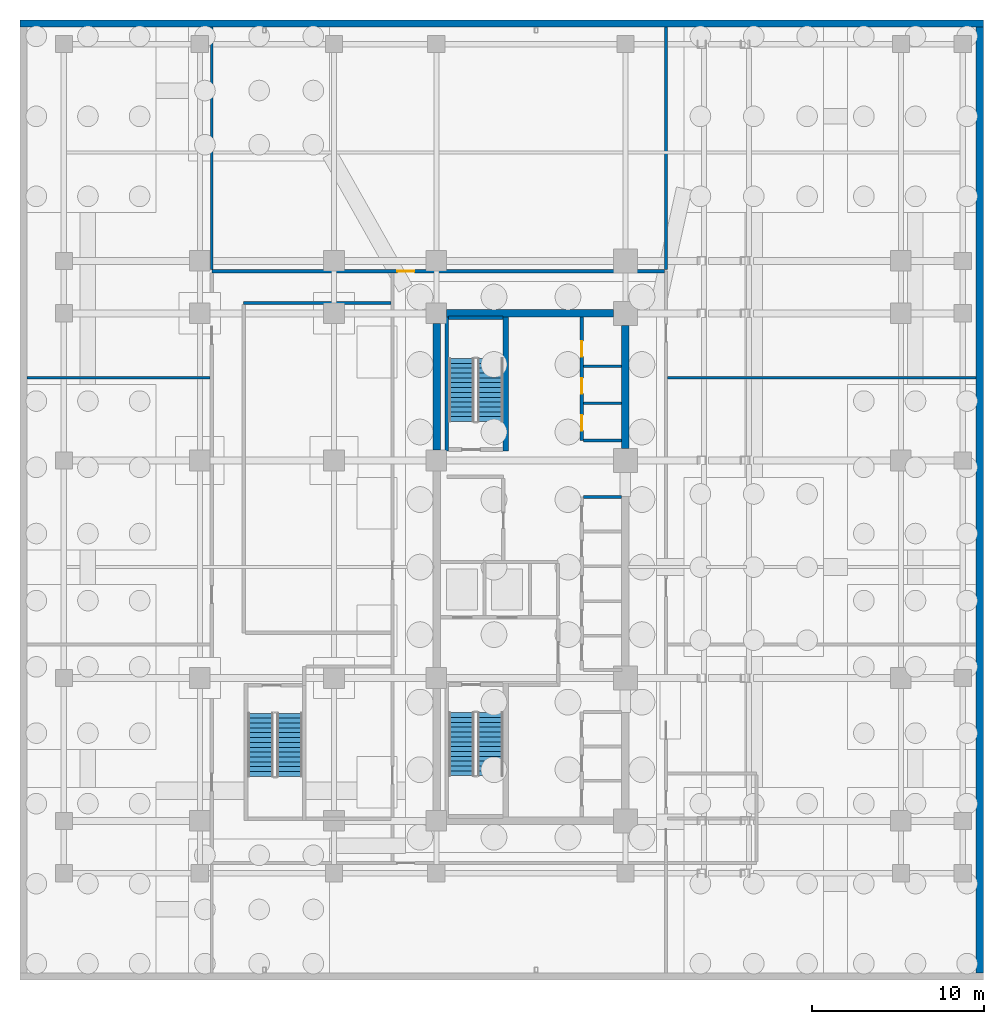
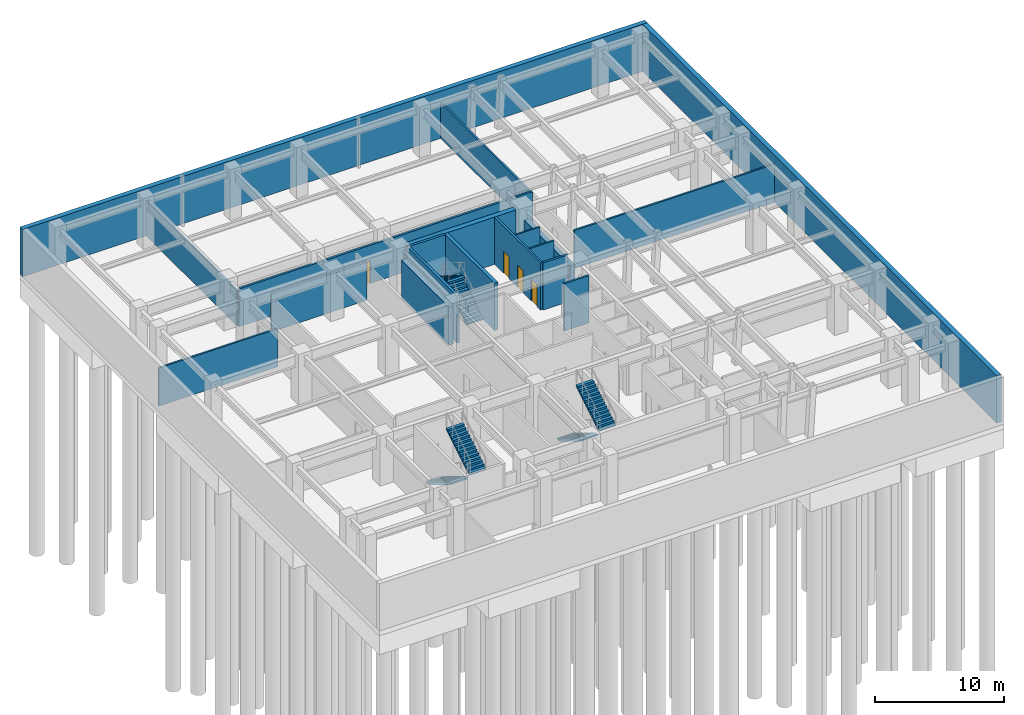
# One storey, part 11 of 13: 19 walls, 6 stair flights, 4 doors, 4 openings, 3 elements without a shape of their own.
"""IFC4 building model written with IfcOpenShell, lengths in metres."""

from ifc_helpers import new_model, si_unit, direction, frame, frame_2d, origin, place, context, subcontext, project, spatial, polyline, rectangle, outline, extrude, material, layer, layer_set, type_object, element, fill, aggregate, save


model = new_model("IFC4")

# Units and contexts
model_context = context("Model", 3, precision=1e-05, world=origin(), true_north=direction((0.0, 1.0)))
body_context = subcontext(model_context, "Body", "Model", "MODEL_VIEW")
ifc_project = project(units=[si_unit("LENGTHUNIT", "METRE"), si_unit("AREAUNIT", "SQUARE_METRE"), si_unit("VOLUMEUNIT", "CUBIC_METRE"), si_unit("PLANEANGLEUNIT", "RADIAN"), si_unit("MASSUNIT", "GRAM", prefix="KILO")], contexts=[model_context])

# Site, building, storey
site_placement = place(None, origin())
site = spatial("IfcSite", under=ifc_project, at=site_placement, CompositionType="ELEMENT")
building_placement = place(site_placement, origin())
building = spatial("IfcBuilding", under=site, at=building_placement, Name="Ochreholt Gables", CompositionType="ELEMENT")
storey_placement = place(building_placement, frame((0.0, 0.0, -9.60009765625)))
storey = spatial("IfcBuildingStorey", under=building, at=storey_placement, Name="B2", CompositionType="ELEMENT", Elevation=-9.60009765625)

# Walls
ifc_material_1 = material(Name="Concrete 50 MPa", Category="concrete")
ifc_layer_1 = layer(ifc_material_1, 0.419921875, Name="Concrete 50 MPa")
ifc_layer_set_1 = layer_set([ifc_layer_1], Name="Concrete 50 MPa")
wall_type_1 = type_object("IfcWallType", Name="WALL-BSM-420", PredefinedType="SHEAR", material=ifc_layer_set_1)
wall_1_placement = place(storey_placement, frame((0.0, 55.590087890625, 0.0), z_axis=(0.0, 0.0, 1.0), x_axis=(1.0, 0.0, 0.0)))
element("IfcWall", 1, at=wall_1_placement, inside=storey, type_object=wall_type_1, Name="B2 North Retaining Shear Wall", PredefinedType="SHEAR", context=body_context, shape_type="SweptSolid", body=[
    extrude(rectangle(XDim=56.0, YDim=0.419921875, at=frame_2d((28.0, 0.0))), origin(), (0.0, 0.0, 1.0), 4.47998046875),
])
wall_2_placement = place(storey_placement, frame((55.7900390625, 0.419921875, 0.0), z_axis=(0.0, 0.0, 1.0), x_axis=(0.0, 1.0, 0.0)))
element("IfcWall", 2, at=wall_2_placement, inside=storey, type_object=wall_type_1, Name="B2 East Retaining Shear Wall", PredefinedType="SHEAR", context=body_context, shape_type="SweptSolid", body=[
    extrude(rectangle(XDim=54.9599609375, YDim=0.419921875, at=frame_2d((27.47998046875, 0.0))), origin(), (0.0, 0.0, 1.0), 4.47998046875),
])
ifc_material_2 = material(Name="Concrete 60 MPa", Category="concrete")
ifc_layer_2 = layer(ifc_material_2, 0.449951171875, Name="Concrete 60 MPa")
ifc_layer_set_2 = layer_set([ifc_layer_2], Name="Concrete 60 MPa")
wall_type_2 = type_object("IfcWallType", Name="WALL-CSW-450", PredefinedType="SHEAR", material=ifc_layer_set_2)
wall_3_placement = place(storey_placement, frame((24.22509765625, 30.800048828125, 0.0), z_axis=(0.0, 0.0, 1.0), x_axis=(0.0, 1.0, 0.0)))
element("IfcWall", 3, at=wall_3_placement, inside=storey, type_object=wall_type_2, Name="B2 Core West Shear Wall WN", PredefinedType="SHEAR", context=body_context, shape_type="SweptSolid", body=[
    extrude(rectangle(XDim=7.349853515625, YDim=0.449951171875, at=frame_2d((3.6748046875, 0.0))), origin(), (0.0, 0.0, 1.0), 3.629150390625),
])
wall_4_placement = place(storey_placement, frame((35.175048828125, 30.89990234375, 0.0), z_axis=(0.0, 0.0, 1.0), x_axis=(0.0, 1.0, 0.0)))
element("IfcWall", 4, at=wall_4_placement, inside=storey, type_object=wall_type_2, Name="B2 Core North-East Shear Wall", PredefinedType="SHEAR", context=body_context, shape_type="SweptSolid", body=[
    extrude(rectangle(XDim=7.150146484375, YDim=0.449951171875, at=frame_2d((3.5751953125, 0.0))), origin(), (0.0, 0.0, 1.0), 3.629150390625),
])
wall_5_placement = place(storey_placement, frame((24.800048828125, 38.75, 0.0), z_axis=(0.0, 0.0, 1.0), x_axis=(1.0, 0.0, 0.0)))
element("IfcWall", 5, at=wall_5_placement, inside=storey, type_object=wall_type_2, Name="B2 Core North Shear Wall", PredefinedType="SHEAR", context=body_context, shape_type="SweptSolid", body=[
    extrude(rectangle(XDim=9.699951171875, YDim=0.449951171875, at=frame_2d((4.85009765625, 0.0))), origin(), (0.0, 0.0, 1.0), 4.47998046875),
])

# Wall, opening, door
ifc_material_3 = material(Name="Fire-Rated Gypsum Acoustic Partition", Category="gypsum")
ifc_layer_3 = layer(ifc_material_3, 0.18994140625, Name="Fire-Rated Gypsum Acoustic Partition")
ifc_layer_set_3 = layer_set([ifc_layer_3], Name="Fire-Rated Gypsum Acoustic Partition")
wall_type_3 = type_object("IfcWallType", Name="WALL-INT-CR190", PredefinedType="STANDARD", material=ifc_layer_set_3)
wall_6_placement = place(storey_placement, frame((11.14990234375, 41.199951171875, 0.0), z_axis=(0.0, 0.0, 1.0), x_axis=(1.0, 0.0, 0.0)))
wall_6 = element("IfcWall", 6, at=wall_6_placement, inside=storey, type_object=wall_type_3, Name="B2 Interior Wall WI-BCN-B2", PredefinedType="STANDARD", context=body_context, shape_type="SweptSolid", body=[
    extrude(rectangle(XDim=26.30517578125, YDim=0.18994140625, at=frame_2d((13.152587890625, 0.0))), origin(), (0.0, 0.0, 1.0), 3.611083984375),
])
opening_1_placement = place(wall_6_placement, frame((10.780029296875, 0.0, 0.0)))
opening_1 = element("IfcOpeningElement", 7, at=opening_1_placement, cuts=wall_6, Name="Opening D-SV3", PredefinedType="OPENING", context=body_context, shape_type="SweptSolid", body=[
    extrude(rectangle(XDim=1.0, YDim=2.14990234375, at=frame_2d((0.5, 1.074951171875))), frame((0.0, 0.10498046875, 0.0), z_axis=(0.0, -1.0, 0.0), x_axis=(1.0, 0.0, 0.0)), (0.0, 0.0, 1.0), 0.2099609375),
])
ifc_material_4 = material(Name="Hollow Metal Steel", Category="steel")
door_type_1 = type_object("IfcDoorType", Name="DR-INT-SRV1000", OperationType="NOTDEFINED", PredefinedType="DOOR", material=ifc_material_4)
door_1_placement = place(opening_1_placement, origin())
door_1 = element("IfcDoor", 8, at=door_1_placement, inside=storey, type_object=door_type_1, Name="B2 Door D-BM10-B2", OperationType="SINGLE_SWING_LEFT", OverallHeight=2.14990234375, OverallWidth=1.0, PredefinedType="DOOR", context=body_context, shape_type="SweptSolid", body=[
    extrude(rectangle(XDim=1.0, YDim=2.14990234375, at=frame_2d((0.5, 1.074951171875))), frame((0.0, 0.02490234375, 0.0), z_axis=(0.0, -1.0, 0.0), x_axis=(1.0, 0.0, 0.0)), (0.0, 0.0, 1.0), 0.050048828125),
])
fill(opening_1, door_1)

# Walls
wall_7_placement = place(storey_placement, frame((13.0, 39.35009765625, 0.0), z_axis=(0.0, 0.0, 1.0), x_axis=(1.0, 0.0, 0.0)))
element("IfcWall", 9, at=wall_7_placement, inside=storey, type_object=wall_type_3, Name="B2 Interior Wall WI-BCN2-B2", PredefinedType="STANDARD", context=body_context, shape_type="SweptSolid", body=[
    extrude(rectangle(XDim=8.554931640625, YDim=0.18994140625, at=frame_2d((4.27734375, 0.0))), origin(), (0.0, 0.0, 1.0), 3.611083984375),
])
ifc_material_5 = material(Name="Gypsum Acoustic Stud Partition", Category="gypsum")
ifc_layer_4 = layer(ifc_material_5, 0.159912109375, Name="Gypsum Acoustic Stud Partition")
ifc_layer_set_4 = layer_set([ifc_layer_4], Name="Gypsum Acoustic Stud Partition")
wall_type_4 = type_object("IfcWallType", Name="WALL-INT-PT160", PredefinedType="PARTITIONING", material=ifc_layer_set_4)
for number, where, z_axis, x_axis, name in (
    (10, (11.14990234375, 41.294921875, 0.0), (0.0, 0.0, 1.0), (0.0, 1.0, 0.0), "B2 Interior Wall WI-BCWWN-B2"),
    (11, (37.550048828125, 41.294921875, 0.0), (0.0, 0.0, 1.0), (0.0, 1.0, 0.0), "B2 Interior Wall WI-BCEN-B2"),
):
    element("IfcWall", number, at=place(storey_placement, frame(where, z_axis=z_axis, x_axis=x_axis)), inside=storey, type_object=wall_type_4, Name=name, PredefinedType="PARTITIONING", context=body_context, shape_type="SweptSolid", body=[
        extrude(rectangle(XDim=14.0849609375, YDim=0.159912109375, at=frame_2d((7.04248046875, 0.0))), origin(), (0.0, 0.0, 1.0), 3.362060546875),
    ])
wall_8_placement = place(storey_placement, frame((0.419921875, 35.0, 0.0), z_axis=(0.0, 0.0, 1.0), x_axis=(1.0, 0.0, 0.0)))
element("IfcWall", 12, at=wall_8_placement, inside=storey, type_object=wall_type_4, Name="B2 Interior Wall WI-BW2-B2", PredefinedType="PARTITIONING", context=body_context, shape_type="SweptSolid", body=[
    extrude(rectangle(XDim=10.635009765625, YDim=0.159912109375, at=frame_2d((5.3173828125, 0.0))), origin(), (0.0, 0.0, 1.0), 3.611083984375),
])
wall_9_placement = place(storey_placement, frame((37.64501953125, 35.0, 0.0), z_axis=(0.0, 0.0, 1.0), x_axis=(1.0, 0.0, 0.0)))
element("IfcWall", 13, at=wall_9_placement, inside=storey, type_object=wall_type_4, Name="B2 Interior Wall WI-BE2-B2", PredefinedType="PARTITIONING", context=body_context, shape_type="SweptSolid", body=[
    extrude(rectangle(XDim=17.93505859375, YDim=0.159912109375, at=frame_2d((8.967529296875, 0.0))), origin(), (0.0, 0.0, 1.0), 3.611083984375),
])
ifc_material_6 = material(Name="Gypsum Shaftliner and Steel Stud", Category="steel")
ifc_layer_5 = layer(ifc_material_6, 0.14990234375, Name="Gypsum Shaftliner and Steel Stud")
ifc_layer_set_5 = layer_set([ifc_layer_5], Name="Gypsum Shaftliner and Steel Stud")
wall_type_5 = type_object("IfcWallType", Name="WALL-INT-SH150", PredefinedType="STANDARD", material=ifc_layer_set_5)
for number, where, z_axis, x_axis, name in (
    (14, (32.739990234375, 33.52001953125, 0.0), (0.0, 0.0, 1.0), (1.0, 0.0, 0.0), "B2 Interior Wall WI-LFM-D1-B2"),
    (15, (32.739990234375, 35.669921875, 0.0), (0.0, 0.0, 1.0), (1.0, 0.0, 0.0), "B2 Interior Wall WI-LFM-D2-B2"),
):
    element("IfcWall", number, at=place(storey_placement, frame(where, z_axis=z_axis, x_axis=x_axis)), inside=storey, type_object=wall_type_5, Name=name, PredefinedType="STANDARD", context=body_context, shape_type="SweptSolid", body=[
        extrude(rectangle(XDim=2.2099609375, YDim=0.14990234375, at=frame_2d((1.10498046875, 0.0))), origin(), (0.0, 0.0, 1.0), 4.47998046875),
    ])
ifc_layer_6 = layer(ifc_material_6, 0.179931640625, Name="Gypsum Shaftliner and Steel Stud")
ifc_layer_set_6 = layer_set([ifc_layer_6], Name="Gypsum Shaftliner and Steel Stud")
wall_type_6 = type_object("IfcWallType", Name="WALL-INT-SH180", PredefinedType="STANDARD", material=ifc_layer_set_6)
wall_10_placement = place(storey_placement, frame((32.739990234375, 28.080078125, 0.0), z_axis=(0.0, 0.0, 1.0), x_axis=(1.0, 0.0, 0.0)))
element("IfcWall", 16, at=wall_10_placement, inside=storey, type_object=wall_type_6, Name="B2 Interior Wall WI-LFHE-N-B2", PredefinedType="STANDARD", context=body_context, shape_type="SweptSolid", body=[
    extrude(rectangle(XDim=2.2099609375, YDim=0.179931640625, at=frame_2d((1.10498046875, 0.0))), origin(), (0.0, 0.0, 1.0), 4.47998046875),
])

# Wall, openings, doors
wall_11_placement = place(storey_placement, frame((32.64990234375, 31.35009765625, 0.0), z_axis=(0.0, 0.0, 1.0), x_axis=(0.0, 1.0, 0.0)))
wall_11 = element("IfcWall", 17, at=wall_11_placement, inside=storey, type_object=wall_type_6, Name="B2 Interior Wall WI-LFM-FR-B2", PredefinedType="STANDARD", context=body_context, shape_type="SweptSolid", body=[
    extrude(rectangle(XDim=7.1748046875, YDim=0.179931640625, at=frame_2d((3.58740234375, 0.0))), origin(), (0.0, 0.0, 1.0), 4.47998046875),
])
opening_2_placement = place(wall_11_placement, frame((0.580078125, 0.0, 0.0)))
opening_2 = element("IfcOpeningElement", 18, at=opening_2_placement, cuts=wall_11, Name="Opening D-SV1", PredefinedType="OPENING", context=body_context, shape_type="SweptSolid", body=[
    extrude(rectangle(XDim=0.89990234375, YDim=2.10009765625, at=frame_2d((0.449951171875, 1.050048828125))), frame((0.0, 0.099853515625, 0.0), z_axis=(0.0, -1.0, 0.0), x_axis=(1.0, 0.0, 0.0)), (0.0, 0.0, 1.0), 0.199951171875),
])
opening_3_placement = place(wall_11_placement, frame((2.72998046875, 0.0, 0.0)))
opening_3 = element("IfcOpeningElement", 19, at=opening_3_placement, cuts=wall_11, Name="Opening D-SV1", PredefinedType="OPENING", context=body_context, shape_type="SweptSolid", body=[
    extrude(rectangle(XDim=0.89990234375, YDim=2.10009765625, at=frame_2d((0.449951171875, 1.050048828125))), frame((0.0, 0.099853515625, 0.0), z_axis=(0.0, -1.0, 0.0), x_axis=(1.0, 0.0, 0.0)), (0.0, 0.0, 1.0), 0.199951171875),
])
opening_4_placement = place(wall_11_placement, frame((4.8798828125, 0.0, 0.0)))
opening_4 = element("IfcOpeningElement", 20, at=opening_4_placement, cuts=wall_11, Name="Opening D-SV1", PredefinedType="OPENING", context=body_context, shape_type="SweptSolid", body=[
    extrude(rectangle(XDim=0.89990234375, YDim=2.10009765625, at=frame_2d((0.449951171875, 1.050048828125))), frame((0.0, 0.099853515625, 0.0), z_axis=(0.0, -1.0, 0.0), x_axis=(1.0, 0.0, 0.0)), (0.0, 0.0, 1.0), 0.199951171875),
])
door_type_2 = type_object("IfcDoorType", Name="DR-INT-SRV900", OperationType="NOTDEFINED", PredefinedType="DOOR", material=ifc_material_4)
door_2_placement = place(opening_2_placement, origin())
door_2 = element("IfcDoor", 21, at=door_2_placement, inside=storey, type_object=door_type_2, Name="B2 Door D-MCST1-B2", OperationType="SINGLE_SWING_LEFT", OverallHeight=2.10009765625, OverallWidth=0.89990234375, PredefinedType="DOOR", context=body_context, shape_type="SweptSolid", body=[
    extrude(rectangle(XDim=0.89990234375, YDim=2.10009765625, at=frame_2d((0.449951171875, 1.050048828125))), frame((0.0, 0.02490234375, 0.0), z_axis=(0.0, -1.0, 0.0), x_axis=(1.0, 0.0, 0.0)), (0.0, 0.0, 1.0), 0.050048828125),
])
fill(opening_2, door_2)
door_3_placement = place(opening_3_placement, origin())
door_3 = element("IfcDoor", 22, at=door_3_placement, inside=storey, type_object=door_type_2, Name="B2 Door D-MCST2-B2", OperationType="SINGLE_SWING_LEFT", OverallHeight=2.10009765625, OverallWidth=0.89990234375, PredefinedType="DOOR", context=body_context, shape_type="SweptSolid", body=[
    extrude(rectangle(XDim=0.89990234375, YDim=2.10009765625, at=frame_2d((0.449951171875, 1.050048828125))), frame((0.0, 0.02490234375, 0.0), z_axis=(0.0, -1.0, 0.0), x_axis=(1.0, 0.0, 0.0)), (0.0, 0.0, 1.0), 0.050048828125),
])
fill(opening_3, door_3)
door_4_placement = place(opening_4_placement, origin())
door_4 = element("IfcDoor", 23, at=door_4_placement, inside=storey, type_object=door_type_2, Name="B2 Door D-MCST3-B2", OperationType="SINGLE_SWING_LEFT", OverallHeight=2.10009765625, OverallWidth=0.89990234375, PredefinedType="DOOR", context=body_context, shape_type="SweptSolid", body=[
    extrude(rectangle(XDim=0.89990234375, YDim=2.10009765625, at=frame_2d((0.449951171875, 1.050048828125))), frame((0.0, 0.02490234375, 0.0), z_axis=(0.0, -1.0, 0.0), x_axis=(1.0, 0.0, 0.0)), (0.0, 0.0, 1.0), 0.050048828125),
])
fill(opening_4, door_4)

# Walls
wall_12_placement = place(storey_placement, frame((32.739990234375, 31.35009765625, 0.0), z_axis=(0.0, 0.0, 1.0), x_axis=(1.0, 0.0, 0.0)))
element("IfcWall", 24, at=wall_12_placement, inside=storey, type_object=wall_type_6, Name="B2 Interior Wall WI-LFM-S-B2", PredefinedType="STANDARD", context=body_context, shape_type="SweptSolid", body=[
    extrude(rectangle(XDim=2.2099609375, YDim=0.179931640625, at=frame_2d((1.10498046875, 0.0))), origin(), (0.0, 0.0, 1.0), 4.47998046875),
])
ifc_layer_7 = layer(ifc_material_2, 0.300048828125, Name="Concrete 60 MPa")
ifc_layer_set_7 = layer_set([ifc_layer_7], Name="Concrete 60 MPa")
wall_type_7 = type_object("IfcWallType", Name="WALL-SPN-300", PredefinedType="SHEAR", material=ifc_layer_set_7)
wall_13_placement = place(storey_placement, frame((28.22998046875, 30.739990234375, 0.0), z_axis=(0.0, 0.0, 1.0), x_axis=(0.0, 1.0, 0.0)))
element("IfcWall", 25, at=wall_13_placement, inside=storey, type_object=wall_type_7, Name="B2 Core North Spine Shear Wall", PredefinedType="SHEAR", context=body_context, shape_type="SweptSolid", body=[
    extrude(rectangle(XDim=7.784912109375, YDim=0.300048828125, at=frame_2d((3.892578125, 0.0))), origin(), (0.0, 0.0, 1.0), 4.47998046875),
])
ifc_layer_8 = layer(ifc_material_1, 0.219970703125, Name="Concrete 50 MPa")
ifc_layer_set_8 = layer_set([ifc_layer_8], Name="Concrete 50 MPa")
wall_type_8 = type_object("IfcWallType", Name="WALL-STW-220", PredefinedType="SHEAR", material=ifc_layer_set_8)
wall_14_placement = place(storey_placement, frame((24.81005859375, 30.739990234375, 0.0), z_axis=(0.0, 0.0, 1.0), x_axis=(0.0, 1.0, 0.0)))
element("IfcWall", 26, at=wall_14_placement, inside=storey, type_object=wall_type_8, Name="B2 Exit Stair 2 West Wall", PredefinedType="SHEAR", context=body_context, shape_type="SweptSolid", body=[
    extrude(rectangle(XDim=7.784912109375, YDim=0.219970703125, at=frame_2d((3.892578125, 0.0))), origin(), (0.0, 0.0, 1.0), 4.47998046875),
])
wall_15_placement = place(storey_placement, frame((24.919921875, 38.489990234375, 0.0), z_axis=(0.0, 0.0, 1.0), x_axis=(1.0, 0.0, 0.0)))
element("IfcWall", 27, at=wall_15_placement, inside=storey, type_object=wall_type_8, Name="B2 Exit Stair 2 North Wall", PredefinedType="SHEAR", context=body_context, shape_type="SweptSolid", body=[
    extrude(rectangle(XDim=3.16015625, YDim=0.219970703125, at=frame_2d((1.580078125, 0.0))), origin(), (0.0, 0.0, 1.0), 4.47998046875),
])

# Stair, stair flights
ifc_material_7 = material(Name="Concrete 40 MPa", Category="concrete")
stair_type_1 = type_object("IfcStairType", Name="STAIR-CORE-ST-1", PredefinedType="HALF_TURN_STAIR", material=ifc_material_7)
stair_1_placement = place(storey_placement, origin())
stair_1 = element("IfcStair", 28, at=stair_1_placement, inside=storey, type_object=stair_type_1, Name="B2 Core Exit Stair 1", PredefinedType="HALF_TURN_STAIR")
stair_flight_type = type_object("IfcStairFlightType", Name="FLIGHT-ST-1480-1714", PredefinedType="STRAIGHT", material=ifc_material_7)
stair_flight_1_placement = place(storey_placement, frame((25.659912109375, 15.5400390625, 0.0), z_axis=(0.0, 0.0, 1.0), x_axis=(0.0, -1.0, 0.0)))
stair_flight_1 = element("IfcStairFlight", 29, at=stair_flight_1_placement, type_object=stair_flight_type, Name="ST-1 flight 1", NumberOfRisers=14, NumberOfTreads=13, PredefinedType="STRAIGHT", RiserHeight=0.171428571, TreadLength=0.282, context=body_context, shape_type="SweptSolid", body=[
    extrude(outline(polyline([(0.0, 0.0), (0.0, 0.17138671875), (0.281982421875, 0.17138671875), (0.281982421875, 0.3427734375), (0.56396484375, 0.3427734375), (0.56396484375, 0.514404296875), (0.845947265625, 0.514404296875), (0.845947265625, 0.685791015625), (1.1279296875, 0.685791015625), (1.1279296875, 0.857177734375), (1.409912109375, 0.857177734375), (1.409912109375, 1.028564453125), (1.69189453125, 1.028564453125), (1.69189453125, 1.199951171875), (1.97412109375, 1.199951171875), (1.97412109375, 1.371337890625), (2.256103515625, 1.371337890625), (2.256103515625, 1.54296875), (2.5380859375, 1.54296875), (2.5380859375, 1.71435546875), (2.820068359375, 1.71435546875), (2.820068359375, 1.8857421875), (3.10205078125, 1.8857421875), (3.10205078125, 2.05712890625), (3.384033203125, 2.05712890625), (3.384033203125, 2.228515625), (3.666015625, 2.228515625), (3.666015625, 2.39990234375), (3.666015625, 2.05322265625), (0.28857421875, 0.0), (0.0, 0.0)])), frame((0.0, 0.739990234375, 0.0), z_axis=(0.0, -1.0, 0.0), x_axis=(1.0, 0.0, 0.0)), (0.0, 0.0, 1.0), 1.47998046875),
])
stair_flight_2_placement = place(storey_placement, frame((27.340087890625, 11.8740234375, 2.400146484375), z_axis=(0.0, 0.0, 1.0), x_axis=(0.0, 1.0, 0.0)))
stair_flight_2 = element("IfcStairFlight", 30, at=stair_flight_2_placement, type_object=stair_flight_type, Name="ST-1 flight 2", NumberOfRisers=14, NumberOfTreads=13, PredefinedType="STRAIGHT", RiserHeight=0.171428571, TreadLength=0.282, context=body_context, shape_type="SweptSolid", body=[
    extrude(outline(polyline([(0.0, 0.0), (0.0, 0.17138671875), (0.281982421875, 0.17138671875), (0.281982421875, 0.3427734375), (0.56396484375, 0.3427734375), (0.56396484375, 0.514404296875), (0.845947265625, 0.514404296875), (0.845947265625, 0.685791015625), (1.1279296875, 0.685791015625), (1.1279296875, 0.857177734375), (1.409912109375, 0.857177734375), (1.409912109375, 1.028564453125), (1.69189453125, 1.028564453125), (1.69189453125, 1.199951171875), (1.97412109375, 1.199951171875), (1.97412109375, 1.371337890625), (2.256103515625, 1.371337890625), (2.256103515625, 1.54296875), (2.5380859375, 1.54296875), (2.5380859375, 1.71435546875), (2.820068359375, 1.71435546875), (2.820068359375, 1.8857421875), (3.10205078125, 1.8857421875), (3.10205078125, 2.05712890625), (3.384033203125, 2.05712890625), (3.384033203125, 2.228515625), (3.666015625, 2.228515625), (3.666015625, 2.39990234375), (3.666015625, 2.05322265625), (0.28857421875, 0.0), (0.0, 0.0)])), frame((0.0, 0.739990234375, 0.0), z_axis=(0.0, -1.0, 0.0), x_axis=(1.0, 0.0, 0.0)), (0.0, 0.0, 1.0), 1.47998046875),
])
aggregate(stair_1, [stair_flight_1, stair_flight_2])

stair_type_2 = type_object("IfcStairType", Name="STAIR-CORE-ST-2", PredefinedType="HALF_TURN_STAIR", material=ifc_material_7)
stair_2_placement = place(storey_placement, origin())
stair_2 = element("IfcStair", 31, at=stair_2_placement, inside=storey, type_object=stair_type_2, Name="B2 Core Exit Stair 2", PredefinedType="HALF_TURN_STAIR")
stair_flight_3_placement = place(storey_placement, frame((27.340087890625, 32.4599609375, 0.0), z_axis=(0.0, 0.0, 1.0), x_axis=(0.0, 1.0, 0.0)))
stair_flight_3 = element("IfcStairFlight", 32, at=stair_flight_3_placement, type_object=stair_flight_type, Name="ST-2 flight 1", NumberOfRisers=14, NumberOfTreads=13, PredefinedType="STRAIGHT", RiserHeight=0.171428571, TreadLength=0.282, context=body_context, shape_type="SweptSolid", body=[
    extrude(outline(polyline([(0.0, 0.0), (0.0, 0.17138671875), (0.281982421875, 0.17138671875), (0.281982421875, 0.3427734375), (0.56396484375, 0.3427734375), (0.56396484375, 0.514404296875), (0.845947265625, 0.514404296875), (0.845947265625, 0.685791015625), (1.1279296875, 0.685791015625), (1.1279296875, 0.857177734375), (1.409912109375, 0.857177734375), (1.409912109375, 1.028564453125), (1.69189453125, 1.028564453125), (1.69189453125, 1.199951171875), (1.97412109375, 1.199951171875), (1.97412109375, 1.371337890625), (2.256103515625, 1.371337890625), (2.256103515625, 1.54296875), (2.5380859375, 1.54296875), (2.5380859375, 1.71435546875), (2.820068359375, 1.71435546875), (2.820068359375, 1.8857421875), (3.10205078125, 1.8857421875), (3.10205078125, 2.05712890625), (3.384033203125, 2.05712890625), (3.384033203125, 2.228515625), (3.666015625, 2.228515625), (3.666015625, 2.39990234375), (3.666015625, 2.05322265625), (0.28857421875, 0.0), (0.0, 0.0)])), frame((0.0, 0.739990234375, 0.0), z_axis=(0.0, -1.0, 0.0), x_axis=(1.0, 0.0, 0.0)), (0.0, 0.0, 1.0), 1.47998046875),
])
stair_flight_4_placement = place(storey_placement, frame((25.659912109375, 36.1259765625, 2.400146484375), z_axis=(0.0, 0.0, 1.0), x_axis=(0.0, -1.0, 0.0)))
stair_flight_4 = element("IfcStairFlight", 33, at=stair_flight_4_placement, type_object=stair_flight_type, Name="ST-2 flight 2", NumberOfRisers=14, NumberOfTreads=13, PredefinedType="STRAIGHT", RiserHeight=0.171428571, TreadLength=0.282, context=body_context, shape_type="SweptSolid", body=[
    extrude(outline(polyline([(0.0, 0.0), (0.0, 0.17138671875), (0.281982421875, 0.17138671875), (0.281982421875, 0.3427734375), (0.56396484375, 0.3427734375), (0.56396484375, 0.514404296875), (0.845947265625, 0.514404296875), (0.845947265625, 0.685791015625), (1.1279296875, 0.685791015625), (1.1279296875, 0.857177734375), (1.409912109375, 0.857177734375), (1.409912109375, 1.028564453125), (1.69189453125, 1.028564453125), (1.69189453125, 1.199951171875), (1.97412109375, 1.199951171875), (1.97412109375, 1.371337890625), (2.256103515625, 1.371337890625), (2.256103515625, 1.54296875), (2.5380859375, 1.54296875), (2.5380859375, 1.71435546875), (2.820068359375, 1.71435546875), (2.820068359375, 1.8857421875), (3.10205078125, 1.8857421875), (3.10205078125, 2.05712890625), (3.384033203125, 2.05712890625), (3.384033203125, 2.228515625), (3.666015625, 2.228515625), (3.666015625, 2.39990234375), (3.666015625, 2.05322265625), (0.28857421875, 0.0), (0.0, 0.0)])), frame((0.0, 0.739990234375, 0.0), z_axis=(0.0, -1.0, 0.0), x_axis=(1.0, 0.0, 0.0)), (0.0, 0.0, 1.0), 1.47998046875),
])
aggregate(stair_2, [stair_flight_3, stair_flight_4])

stair_type_3 = type_object("IfcStairType", Name="STAIR-CORE-ST-P1", PredefinedType="HALF_TURN_STAIR", material=ifc_material_7)
stair_3_placement = place(storey_placement, origin())
stair_3 = element("IfcStair", 34, at=stair_3_placement, inside=storey, type_object=stair_type_3, Name="B2 Podium Exit Stair 3", PredefinedType="HALF_TURN_STAIR")
stair_flight_5_placement = place(storey_placement, frame((13.989990234375, 15.5, 0.0), z_axis=(0.0, 0.0, 1.0), x_axis=(0.0, -1.0, 0.0)))
stair_flight_5 = element("IfcStairFlight", 35, at=stair_flight_5_placement, type_object=stair_flight_type, Name="ST-P1 flight 1", NumberOfRisers=14, NumberOfTreads=13, PredefinedType="STRAIGHT", RiserHeight=0.171428571, TreadLength=0.282, context=body_context, shape_type="SweptSolid", body=[
    extrude(outline(polyline([(0.0, 0.0), (0.0, 0.17138671875), (0.281982421875, 0.17138671875), (0.281982421875, 0.3427734375), (0.56396484375, 0.3427734375), (0.56396484375, 0.514404296875), (0.845947265625, 0.514404296875), (0.845947265625, 0.685791015625), (1.1279296875, 0.685791015625), (1.1279296875, 0.857177734375), (1.409912109375, 0.857177734375), (1.409912109375, 1.028564453125), (1.69189453125, 1.028564453125), (1.69189453125, 1.199951171875), (1.97412109375, 1.199951171875), (1.97412109375, 1.371337890625), (2.256103515625, 1.371337890625), (2.256103515625, 1.54296875), (2.5380859375, 1.54296875), (2.5380859375, 1.71435546875), (2.820068359375, 1.71435546875), (2.820068359375, 1.8857421875), (3.10205078125, 1.8857421875), (3.10205078125, 2.05712890625), (3.384033203125, 2.05712890625), (3.384033203125, 2.228515625), (3.666015625, 2.228515625), (3.666015625, 2.39990234375), (3.666015625, 2.05322265625), (0.28857421875, 0.0), (0.0, 0.0)])), frame((0.0, 0.739990234375, 0.0), z_axis=(0.0, -1.0, 0.0), x_axis=(1.0, 0.0, 0.0)), (0.0, 0.0, 1.0), 1.47998046875),
])
stair_flight_6_placement = place(storey_placement, frame((15.669921875, 11.833984375, 2.400146484375), z_axis=(0.0, 0.0, 1.0), x_axis=(0.0, 1.0, 0.0)))
stair_flight_6 = element("IfcStairFlight", 36, at=stair_flight_6_placement, type_object=stair_flight_type, Name="ST-P1 flight 2", NumberOfRisers=14, NumberOfTreads=13, PredefinedType="STRAIGHT", RiserHeight=0.171428571, TreadLength=0.282, context=body_context, shape_type="SweptSolid", body=[
    extrude(outline(polyline([(0.0, 0.0), (0.0, 0.17138671875), (0.281982421875, 0.17138671875), (0.281982421875, 0.3427734375), (0.56396484375, 0.3427734375), (0.56396484375, 0.514404296875), (0.845947265625, 0.514404296875), (0.845947265625, 0.685791015625), (1.1279296875, 0.685791015625), (1.1279296875, 0.857177734375), (1.409912109375, 0.857177734375), (1.409912109375, 1.028564453125), (1.69189453125, 1.028564453125), (1.69189453125, 1.199951171875), (1.97412109375, 1.199951171875), (1.97412109375, 1.371337890625), (2.256103515625, 1.371337890625), (2.256103515625, 1.54296875), (2.5380859375, 1.54296875), (2.5380859375, 1.71435546875), (2.820068359375, 1.71435546875), (2.820068359375, 1.8857421875), (3.10205078125, 1.8857421875), (3.10205078125, 2.05712890625), (3.384033203125, 2.05712890625), (3.384033203125, 2.228515625), (3.666015625, 2.228515625), (3.666015625, 2.39990234375), (3.666015625, 2.05322265625), (0.28857421875, 0.0), (0.0, 0.0)])), frame((0.0, 0.739990234375, 0.0), z_axis=(0.0, -1.0, 0.0), x_axis=(1.0, 0.0, 0.0)), (0.0, 0.0, 1.0), 1.47998046875),
])
aggregate(stair_3, [stair_flight_5, stair_flight_6])

save(model, "model.ifc")
